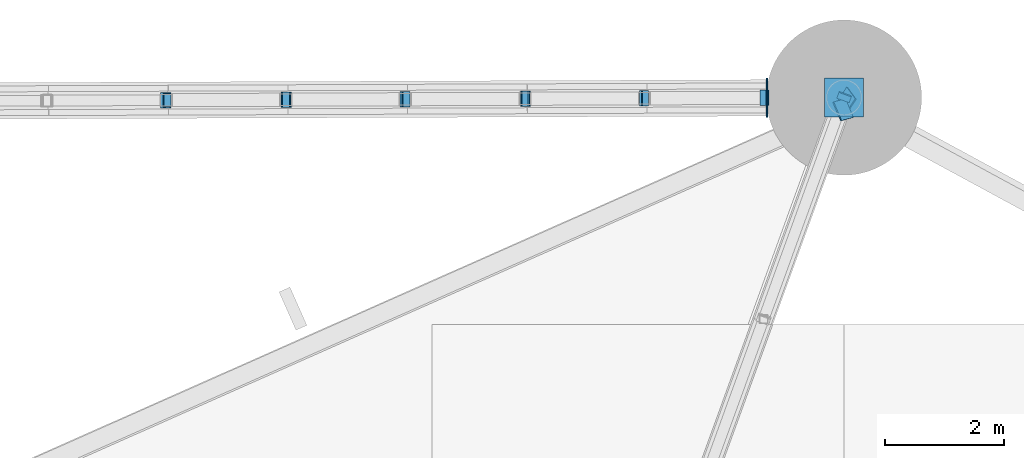
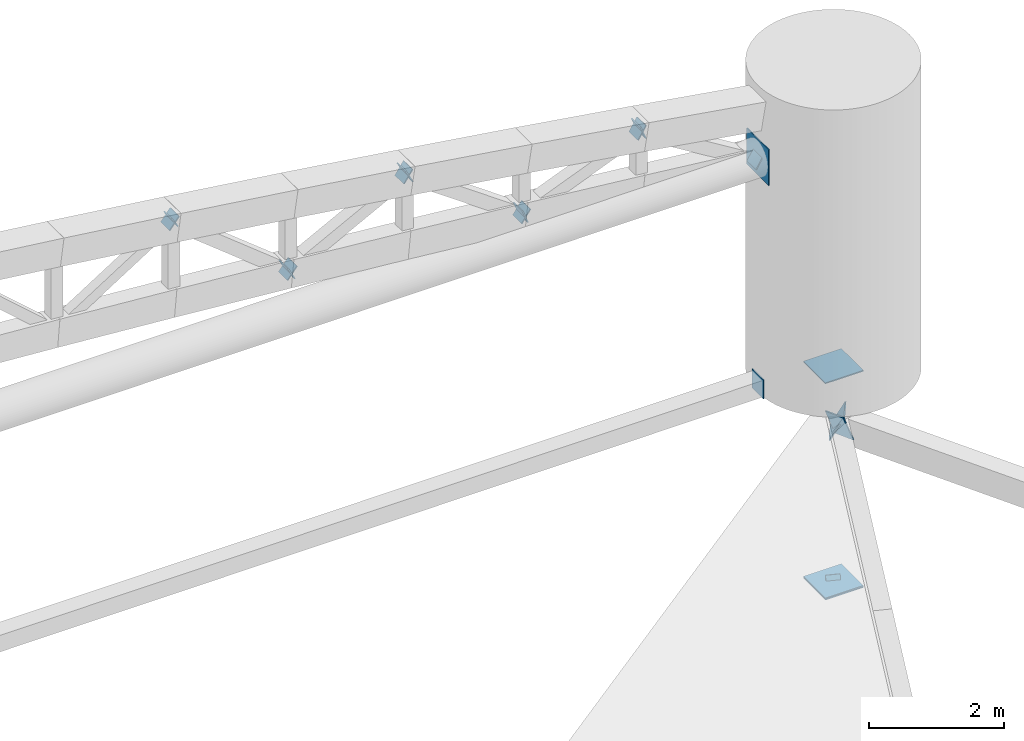
# One storey, part 187 of 188: 19 discrete accessories.
"""IFC4 building model written with IfcOpenShell, lengths in metres."""

from ifc_helpers import new_model, si_unit, direction, frame, origin, origin_2d, place, context, subcontext, project, spatial, rectangle, extrude, material, material_profile, profile_set, type_object, element, save


model = new_model("IFC4")

# Units and contexts
model_context = context("Model", 3, precision=1e-05, world=origin(), true_north=direction((0.0, 1.0)))
body_context = subcontext(model_context, "Body", "Model", "MODEL_VIEW")
ifc_project = project(units=[si_unit("LENGTHUNIT", "METRE"), si_unit("AREAUNIT", "SQUARE_METRE"), si_unit("VOLUMEUNIT", "CUBIC_METRE"), si_unit("PLANEANGLEUNIT", "RADIAN"), si_unit("MASSUNIT", "GRAM", prefix="KILO")], contexts=[model_context])

# Site, building, storey
site_placement = place(None, origin())
site = spatial("IfcSite", under=ifc_project, at=site_placement, CompositionType="ELEMENT")
building_placement = place(site_placement, origin())
building = spatial("IfcBuilding", under=site, at=building_placement, Name="Meseta Stadium", CompositionType="ELEMENT")
storey_placement = place(building_placement, frame((0.0, 0.0, 30.0)))
storey = spatial("IfcBuildingStorey", under=building, at=storey_placement, Name="ROOF", CompositionType="ELEMENT", Elevation=30.0)

# Discrete accessories
ifc_material_1 = material(Name="Steel S355", Category="steel")
ifc_material_profile_1 = material_profile(ifc_material_1, rectangle(XDim=0.219970703125, YDim=0.219970703125, at=origin_2d()), Name="PL 220x220")
ifc_profile_set_1 = profile_set([ifc_material_profile_1], Name="Steel S355")
discrete_accessory_type_1 = type_object("IfcDiscreteAccessoryType", Name="End plate 220x220x20", PredefinedType="ANCHORPLATE", material=ifc_profile_set_1)
for number, where, z_axis, x_axis, name in (
    (1, (38.333251953125, 105.39990234375, 7.412841796875), (0.300812085554, 0.830241356128, -0.469266853464), (-0.940190624658, 0.34064877705, 0.0), "End plate of ROOF TRUSS RT-16 diagonal"),
    (2, (26.99658203125, 105.3564453125, 17.975830078125), (-0.846574631154, -0.012093923302, -0.532132625297), (0.014284256783, -0.9998979748, 0.0), "End plate of GABLE ARCH GA-N diagonal"),
):
    element("IfcDiscreteAccessory", number, at=place(storey_placement, frame(where, z_axis=z_axis, x_axis=x_axis)), inside=storey, type_object=discrete_accessory_type_1, Name=name, PredefinedType="ANCHORPLATE", context=body_context, shape_type="SweptSolid", body=[
        extrude(rectangle(XDim=0.219970703125, YDim=0.219970703125, at=origin_2d()), origin(), (0.0, 0.0, 1.0), 0.020263671875),
    ])
ifc_material_2 = material(Name="Steel S355", Category="steel")
ifc_material_profile_2 = material_profile(ifc_material_2, rectangle(XDim=0.260009765625, YDim=0.260009765625, at=origin_2d()), Name="PL 260x260")
ifc_profile_set_2 = profile_set([ifc_material_profile_2], Name="Steel S355")
discrete_accessory_type_2 = type_object("IfcDiscreteAccessoryType", Name="End plate 260x260x20", PredefinedType="ANCHORPLATE", material=ifc_profile_set_2)
discrete_accessory_1_placement = place(storey_placement, frame((37.010498046875, 105.39501953125, 15.53955078125), z_axis=(-0.85201286723, -0.012171612389, 0.523379332727), x_axis=(0.014284256783, -0.9998979748, 0.0)))
element("IfcDiscreteAccessory", 3, at=discrete_accessory_1_placement, inside=storey, type_object=discrete_accessory_type_2, Name="End plate of GABLE ARCH GA-N diagonal", PredefinedType="ANCHORPLATE", context=body_context, shape_type="SweptSolid", body=[
    extrude(rectangle(XDim=0.260009765625, YDim=0.260009765625, at=origin_2d()), origin(), (0.0, 0.0, 1.0), 0.02001953125),
])
discrete_accessory_2_placement = place(storey_placement, frame((34.990478515625, 105.38720703125, 16.77978515625), z_axis=(-0.848624395177, -0.012298904278, 0.528852883951), x_axis=(0.014491231835, -0.999894996587, 0.0)))
element("IfcDiscreteAccessory", 4, at=discrete_accessory_2_placement, inside=storey, type_object=discrete_accessory_type_2, Name="End plate of GABLE ARCH GA-N diagonal", PredefinedType="ANCHORPLATE", context=body_context, shape_type="SweptSolid", body=[
    extrude(rectangle(XDim=0.260009765625, YDim=0.260009765625, at=origin_2d()), origin(), (0.0, 0.0, 1.0), 0.019775390625),
])
discrete_accessory_3_placement = place(storey_placement, frame((35.00927734375, 105.38720703125, 16.787353515625), z_axis=(-0.927643517938, 0.0, -0.373466870858), x_axis=(0.0, -1.0, 0.0)))
element("IfcDiscreteAccessory", 5, at=discrete_accessory_3_placement, inside=storey, type_object=discrete_accessory_type_2, Name="End plate of GABLE ARCH GA-N diagonal", PredefinedType="ANCHORPLATE", context=body_context, shape_type="SweptSolid", body=[
    extrude(rectangle(XDim=0.260009765625, YDim=0.260009765625, at=origin_2d()), origin(), (0.0, 0.0, 1.0), 0.020263671875),
])
for number, where, z_axis, x_axis, name in (
    (6, (32.98779296875, 105.37939453125, 15.982421875), (-0.930155221331, 0.0, -0.367166534736), (0.0, -1.0, 0.0), "End plate of GABLE ARCH GA-N diagonal"),
    (7, (33.004150390625, 105.37939453125, 15.970947265625), (-0.81865747399, 0.0, 0.57428210862), (0.0, -1.0, 0.0), "End plate of GABLE ARCH GA-N diagonal"),
    (8, (30.985107421875, 105.371826171875, 17.39990234375), (-0.818596368748, -0.01221785625, 0.574239243749), (0.014923710973, -0.999888635224, 0.0), "End plate of GABLE ARCH GA-N diagonal"),
    (9, (31.0029296875, 105.371826171875, 17.4091796875), (-0.887017774073, 0.0, -0.461735279655), (0.0, -1.0, 0.0), "End plate of GABLE ARCH GA-N diagonal"),
    (10, (28.982421875, 105.364013671875, 16.36572265625), (-0.887017774073, 0.0, -0.461735279655), (0.0, -1.0, 0.0), "End plate of GABLE ARCH GA-N diagonal"),
    (11, (28.998046875, 105.364013671875, 16.353271484375), (-0.782059551443, 0.0, 0.623203705056), (0.0, -1.0, 0.0), "End plate of GABLE ARCH GA-N diagonal"),
    (12, (26.9794921875, 105.356201171875, 17.965087890625), (-0.782059551443, 0.0, 0.623203705056), (0.0, -1.0, 0.0), "End plate of GABLE ARCH GA-N diagonal"),
):
    element("IfcDiscreteAccessory", number, at=place(storey_placement, frame(where, z_axis=z_axis, x_axis=x_axis)), inside=storey, type_object=discrete_accessory_type_2, Name=name, PredefinedType="ANCHORPLATE", context=body_context, shape_type="SweptSolid", body=[
        extrude(rectangle(XDim=0.260009765625, YDim=0.260009765625, at=origin_2d()), origin(), (0.0, 0.0, 1.0), 0.02001953125),
    ])
ifc_material_3 = material(Name="Steel S355", Category="steel")
ifc_material_profile_3 = material_profile(ifc_material_3, rectangle(XDim=0.340087890625, YDim=0.340087890625, at=origin_2d()), Name="PL 340x340")
ifc_profile_set_3 = profile_set([ifc_material_profile_3], Name="Steel S355")
discrete_accessory_type_3 = type_object("IfcDiscreteAccessoryType", Name="End plate 340x340x20", PredefinedType="ANCHORPLATE", material=ifc_profile_set_3)
discrete_accessory_4_placement = place(storey_placement, frame((37.05322265625, 105.39501953125, 11.449951171875), z_axis=(-1.0, 0.0, 0.0), x_axis=(0.0, -1.0, 0.0)))
element("IfcDiscreteAccessory", 13, at=discrete_accessory_4_placement, inside=storey, type_object=discrete_accessory_type_3, Name="End plate of GABLE ARCH GA-N sill beam 01", PredefinedType="ANCHORPLATE", context=body_context, shape_type="SweptSolid", body=[
    extrude(rectangle(XDim=0.340087890625, YDim=0.340087890625, at=origin_2d()), origin(), (0.0, 0.0, 1.0), 0.019775390625),
])
ifc_material_4 = material(Name="Steel S355", Category="steel")
ifc_material_profile_4 = material_profile(ifc_material_4, rectangle(XDim=0.340087890625, YDim=0.5400390625, at=origin_2d()), Name="PL 340x540")
ifc_profile_set_4 = profile_set([ifc_material_profile_4], Name="Steel S355")
discrete_accessory_type_4 = type_object("IfcDiscreteAccessoryType", Name="End plate 340x540x20", PredefinedType="ANCHORPLATE", material=ifc_profile_set_4)
for number, where, z_axis, x_axis, name in (
    (14, (38.373779296875, 105.329833984375, 10.34375), (-0.79989717318, 0.436307549007, 0.412068240729), (-0.539029868482, -0.824184367165, -0.173686297113), "End plate of RIM RING BEAM 16"),
    (15, (38.325927734375, 105.197509765625, 10.381103515625), (-0.847504831008, -0.375323568018, -0.375323568018), (0.384046433954, -0.921703776726, 0.054502151669), "End plate of RIM RING BEAM 17"),
):
    element("IfcDiscreteAccessory", number, at=place(storey_placement, frame(where, z_axis=z_axis, x_axis=x_axis)), inside=storey, type_object=discrete_accessory_type_4, Name=name, PredefinedType="ANCHORPLATE", context=body_context, shape_type="SweptSolid", body=[
        extrude(rectangle(XDim=0.340087890625, YDim=0.5400390625, at=origin_2d()), origin(), (0.0, 0.0, 1.0), 0.020263671875),
    ])
ifc_material_5 = material(Name="Steel S355", Category="steel")
ifc_material_profile_5 = material_profile(ifc_material_5, rectangle(XDim=0.64990234375, YDim=0.64990234375, at=origin_2d()), Name="PL 650x650")
ifc_profile_set_5 = profile_set([ifc_material_profile_5], Name="Steel S355")
discrete_accessory_type_5 = type_object("IfcDiscreteAccessoryType", Name="End plate 650x650x20", PredefinedType="ANCHORPLATE", material=ifc_profile_set_5)
discrete_accessory_5_placement = place(storey_placement, frame((38.333251953125, 105.39990234375, 7.412841796875), z_axis=(0.0, 0.0, 1.0), x_axis=(1.0, 0.0, 0.0)))
element("IfcDiscreteAccessory", 16, at=discrete_accessory_5_placement, inside=storey, type_object=discrete_accessory_type_5, Name="End plate of GABLE ARCH GA-N pylon post", PredefinedType="ANCHORPLATE", context=body_context, shape_type="SweptSolid", body=[
    extrude(rectangle(XDim=0.64990234375, YDim=0.64990234375, at=origin_2d()), origin(), (0.0, 0.0, 1.0), 0.019775390625),
])
for number, where, z_axis, x_axis, name in (
    (17, (38.333251953125, 105.39990234375, 7.392822265625), (0.0, 0.0, 1.0), (1.0, 0.0, 0.0), "End plate of GABLE ARCH GA-N pylon post"),
    (18, (38.333251953125, 105.39990234375, 11.300048828125), (0.0, 0.0, 1.0), (1.0, 0.0, 0.0), "End plate of GABLE ARCH GA-N pylon post"),
):
    element("IfcDiscreteAccessory", number, at=place(storey_placement, frame(where, z_axis=z_axis, x_axis=x_axis)), inside=storey, type_object=discrete_accessory_type_5, Name=name, PredefinedType="ANCHORPLATE", context=body_context, shape_type="SweptSolid", body=[
        extrude(rectangle(XDim=0.64990234375, YDim=0.64990234375, at=origin_2d()), origin(), (0.0, 0.0, 1.0), 0.02001953125),
    ])
discrete_accessory_6_placement = place(storey_placement, frame((37.05322265625, 105.39501953125, 15.550048828125), z_axis=(-1.0, 0.0, 0.0), x_axis=(0.0, -1.0, 0.0)))
element("IfcDiscreteAccessory", 19, at=discrete_accessory_6_placement, inside=storey, type_object=discrete_accessory_type_5, Name="End plate of GABLE ARCH GA-N tie 01", PredefinedType="ANCHORPLATE", context=body_context, shape_type="SweptSolid", body=[
    extrude(rectangle(XDim=0.64990234375, YDim=0.64990234375, at=origin_2d()), origin(), (0.0, 0.0, 1.0), 0.019775390625),
])

save(model, "model.ifc")
